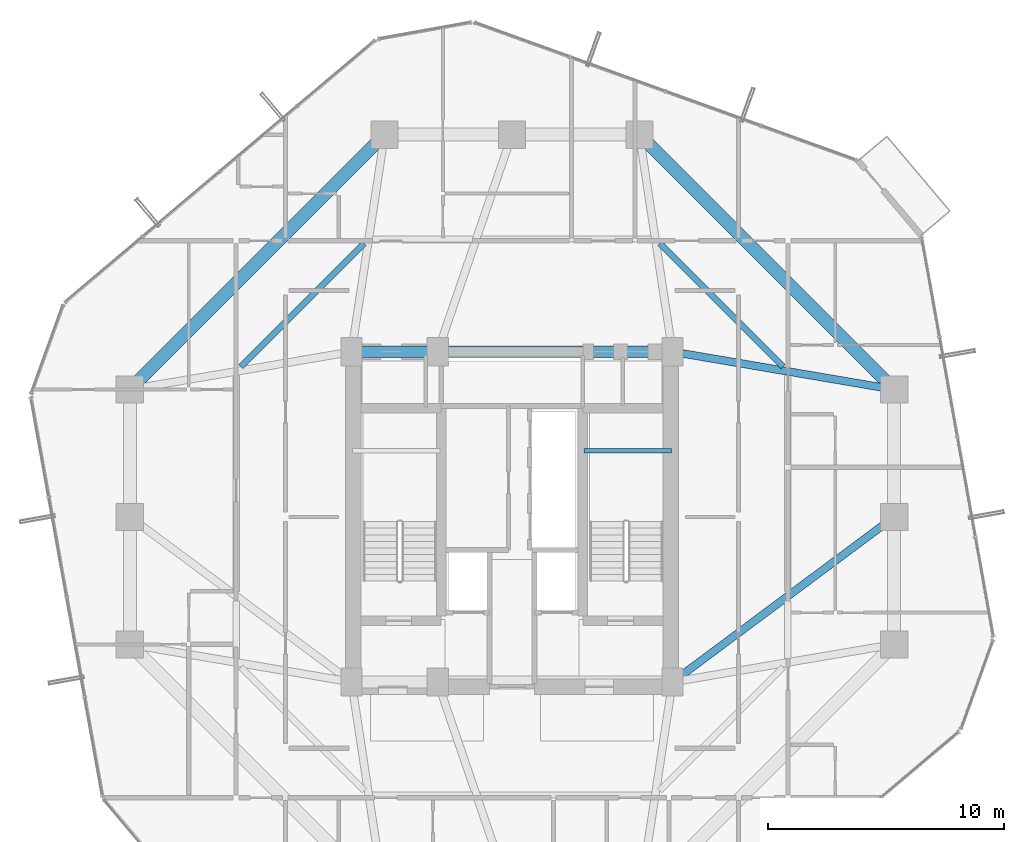
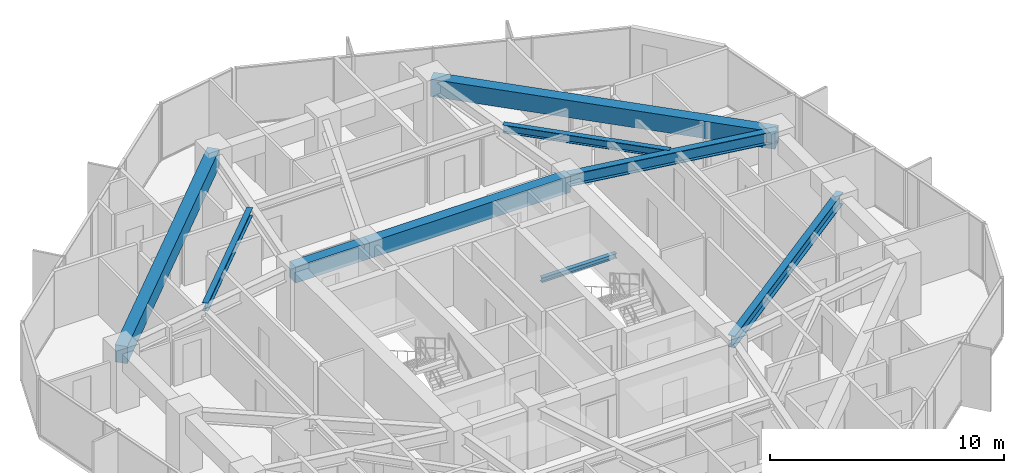
# One storey, part 14 of 36: 9 beams.
"""IFC4 building model written with IfcOpenShell, lengths in metres."""

from ifc_helpers import new_model, si_unit, direction, frame, origin, origin_2d, place, context, subcontext, project, spatial, rectangle, i_section, extrude, material, material_profile, profile_set, type_object, element, save


model = new_model("IFC4")

# Units and contexts
model_context = context("Model", 3, precision=1e-05, world=origin(), true_north=direction((0.0, 1.0)))
body_context = subcontext(model_context, "Body", "Model", "MODEL_VIEW")
ifc_project = project(units=[si_unit("LENGTHUNIT", "METRE"), si_unit("AREAUNIT", "SQUARE_METRE"), si_unit("VOLUMEUNIT", "CUBIC_METRE"), si_unit("PLANEANGLEUNIT", "RADIAN"), si_unit("MASSUNIT", "GRAM", prefix="KILO")], contexts=[model_context])

# Site, building, storey
site_placement = place(None, origin())
site = spatial("IfcSite", under=ifc_project, at=site_placement, CompositionType="ELEMENT")
building_placement = place(site_placement, origin())
building = spatial("IfcBuilding", under=site, at=building_placement, Name="Veraguas Prism Commons", CompositionType="ELEMENT")
storey_placement = place(building_placement, frame((0.0, 0.0, 163.050048828125)))
storey = spatial("IfcBuildingStorey", under=building, at=storey_placement, Name="L46", CompositionType="ELEMENT", Elevation=163.050048828125)

# Beams
ifc_material_1 = material(Name="Concrete C50/60", Category="concrete")
ifc_material_profile_1 = material_profile(ifc_material_1, rectangle(XDim=0.5, YDim=0.85009765625, at=origin_2d()), Name="RC500X850")
ifc_profile_set_1 = profile_set([ifc_material_profile_1], Name="Concrete C50/60")
beam_type_1 = type_object("IfcBeamType", Name="Core Coupling Beam RC 500x850", PredefinedType="BEAM", material=ifc_profile_set_1)
beam_1_placement = place(storey_placement, frame((17.199951171875, 31.0, 2.574951171875), z_axis=(1.0, 0.0, 0.0), x_axis=(0.0, 1.0, 0.0)))
element("IfcBeam", 1, at=beam_1_placement, inside=storey, type_object=beam_type_1, Name="Core Coupling Beam L46-CRN1", PredefinedType="BEAM", context=body_context, shape_type="SweptSolid", body=[
    extrude(rectangle(XDim=0.5, YDim=0.85009765625, at=origin_2d()), origin(), (0.0, 0.0, 1.0), 3.650146484375),
])
beam_2_placement = place(storey_placement, frame((20.85009765625, 31.0, 2.574951171875), z_axis=(1.0, 0.0, 0.0), x_axis=(0.0, 1.0, 0.0)))
element("IfcBeam", 2, at=beam_2_placement, inside=storey, type_object=beam_type_1, Name="Core Coupling Beam L46-CRN2", PredefinedType="BEAM", context=body_context, shape_type="SweptSolid", body=[
    extrude(rectangle(XDim=0.5, YDim=0.85009765625, at=origin_2d()), origin(), (0.0, 0.0, 1.0), 9.949951171875),
])
ifc_material_2 = material(Name="Steel ASTM A992 Grade 50", Category="steel")
ifc_material_profile_2 = material_profile(ifc_material_2, i_section(OverallWidth=0.260986328125, OverallDepth=0.419921875, WebThickness=0.01171875, FlangeThickness=0.019287109375, at=origin_2d()), Name="W410X114")
ifc_profile_set_2 = profile_set([ifc_material_profile_2], Name="Steel ASTM A992 Grade 50")
beam_type_2 = type_object("IfcBeamType", Name="Lower Floor Joist W410x114", PredefinedType="JOIST", material=ifc_profile_set_2)
for number, where, z_axis, x_axis, name in (
    (3, (35.489990234375, 30.365966796875, 2.7900390625), (-0.707090260193, 0.707123301794, 0.0), (-0.707123301794, -0.707090260193, 0.0), "Composite Floor Joist L46-JS03"),
    (4, (17.734619140625, 35.5908203125, 2.7900390625), (-0.707090260193, -0.707123301794, 0.0), (0.707123301794, -0.707090260193, 0.0), "Composite Floor Joist L46-JS06"),
):
    element("IfcBeam", number, at=place(storey_placement, frame(where, z_axis=z_axis, x_axis=x_axis)), inside=storey, type_object=beam_type_2, Name=name, PredefinedType="JOIST", context=body_context, shape_type="SweptSolid", body=[
        extrude(i_section(OverallWidth=0.260986328125, OverallDepth=0.419921875, WebThickness=0.01171875, FlangeThickness=0.019287109375, at=origin_2d()), origin(), (0.0, 0.0, 1.0), 7.388916015625),
    ])
ifc_material_profile_3 = material_profile(ifc_material_1, rectangle(XDim=0.550048828125, YDim=0.89990234375, at=origin_2d()), Name="RC550X900")
ifc_profile_set_3 = profile_set([ifc_material_profile_3], Name="Concrete C50/60")
beam_type_3 = type_object("IfcBeamType", Name="Perimeter Spandrel Lower RC 550x900", PredefinedType="SPANDREL", material=ifc_profile_set_3)
for number, where, z_axis, x_axis, name in (
    (5, (40.199951171875, 29.39990234375, 2.550048828125), (-0.707106781187, 0.707106781187, 0.0), (-0.707106781187, -0.707106781187, 0.0), "Perimeter Spandrel Beam L46-SP03"),
    (6, (18.60009765625, 40.199951171875, 2.550048828125), (-0.707106781187, -0.707106781187, 0.0), (0.707106781187, -0.707106781187, 0.0), "Perimeter Spandrel Beam L46-SP06"),
):
    element("IfcBeam", number, at=place(storey_placement, frame(where, z_axis=z_axis, x_axis=x_axis)), inside=storey, type_object=beam_type_3, Name=name, PredefinedType="SPANDREL", context=body_context, shape_type="SweptSolid", body=[
        extrude(rectangle(XDim=0.550048828125, YDim=0.89990234375, at=origin_2d()), origin(), (0.0, 0.0, 1.0), 15.273681640625),
    ])
ifc_material_profile_4 = material_profile(ifc_material_2, i_section(OverallWidth=0.202880859375, OverallDepth=0.251953125, WebThickness=0.008056640625, FlangeThickness=0.013427734375, at=origin_2d()), Name="W250X58")
ifc_profile_set_4 = profile_set([ifc_material_profile_4], Name="Steel ASTM A992 Grade 50")
beam_type_4 = type_object("IfcBeamType", Name="Structural Opening Lintel W250x58", PredefinedType="LINTEL", material=ifc_profile_set_4)
beam_3_placement = place(storey_placement, frame((27.050048828125, 26.800048828125, 1.299072265625), z_axis=(1.0, 0.0, 0.0), x_axis=(0.0, 1.0, 0.0)))
element("IfcBeam", 7, at=beam_3_placement, inside=storey, type_object=beam_type_4, Name="Stair ST-02 Half-Landing Support Beam L46-1", PredefinedType="LINTEL", context=body_context, shape_type="SweptSolid", body=[
    extrude(i_section(OverallWidth=0.202880859375, OverallDepth=0.251953125, WebThickness=0.008056640625, FlangeThickness=0.013427734375, at=origin_2d()), origin(), (0.0, 0.0, 1.0), 3.699951171875),
])
ifc_material_profile_5 = material_profile(ifc_material_2, i_section(OverallWidth=0.327880859375, OverallDepth=0.6220703125, WebThickness=0.015380859375, FlangeThickness=0.0244140625, at=origin_2d()), Name="W610X195")
ifc_profile_set_5 = profile_set([ifc_material_profile_5], Name="Steel ASTM A992 Grade 50")
beam_type_5 = type_object("IfcBeamType", Name="Zone 2 Radial Girder W610x195", PredefinedType="BEAM", material=ifc_profile_set_5)
beam_4_placement = place(storey_placement, frame((40.199951171875, 24.0, 2.68896484375), z_axis=(-0.802040137921, -0.597270137512, 0.0), x_axis=(0.597270137512, -0.802040137921, 0.0)))
element("IfcBeam", 8, at=beam_4_placement, inside=storey, type_object=beam_type_5, Name="Radial Floor Girder L46-RD02", PredefinedType="BEAM", context=body_context, shape_type="SweptSolid", body=[
    extrude(i_section(OverallWidth=0.327880859375, OverallDepth=0.6220703125, WebThickness=0.015380859375, FlangeThickness=0.0244140625, at=origin_2d()), origin(), (0.0, 0.0, 1.0), 11.719970703125),
])
beam_5_placement = place(storey_placement, frame((40.199951171875, 29.39990234375, 2.68896484375), z_axis=(-0.985819187151, 0.1678109956, 0.0), x_axis=(-0.1678109956, -0.985819187151, 0.0)))
element("IfcBeam", 9, at=beam_5_placement, inside=storey, type_object=beam_type_5, Name="Radial Floor Girder L46-RD03", PredefinedType="BEAM", context=body_context, shape_type="SweptSolid", body=[
    extrude(i_section(OverallWidth=0.327880859375, OverallDepth=0.6220703125, WebThickness=0.015380859375, FlangeThickness=0.0244140625, at=origin_2d()), origin(), (0.0, 0.0, 1.0), 9.53515625),
])

save(model, "model.ifc")
